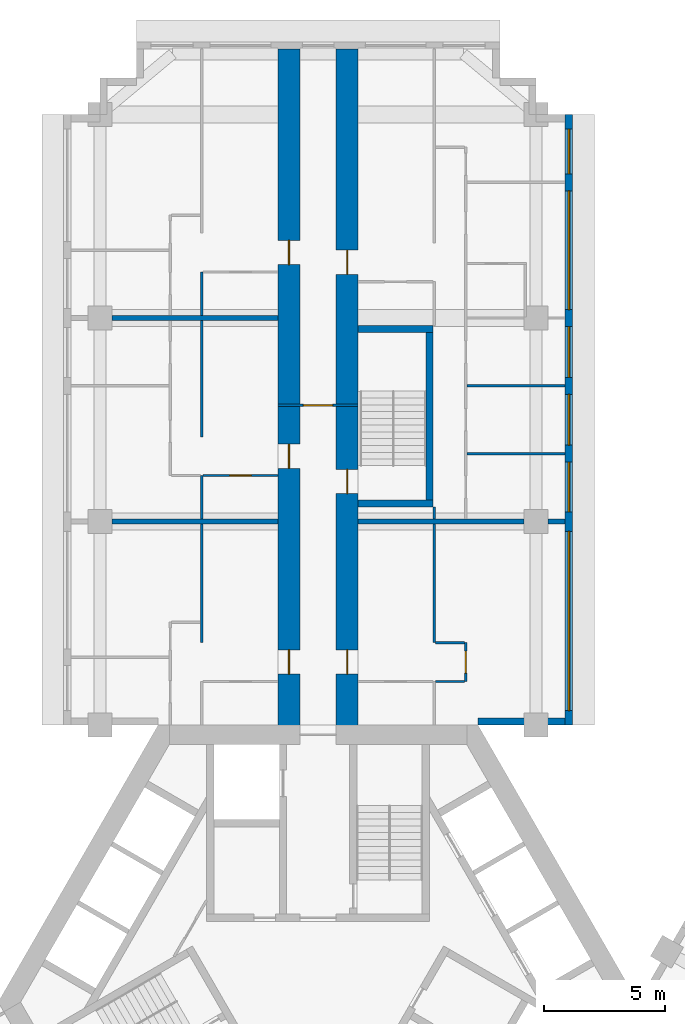
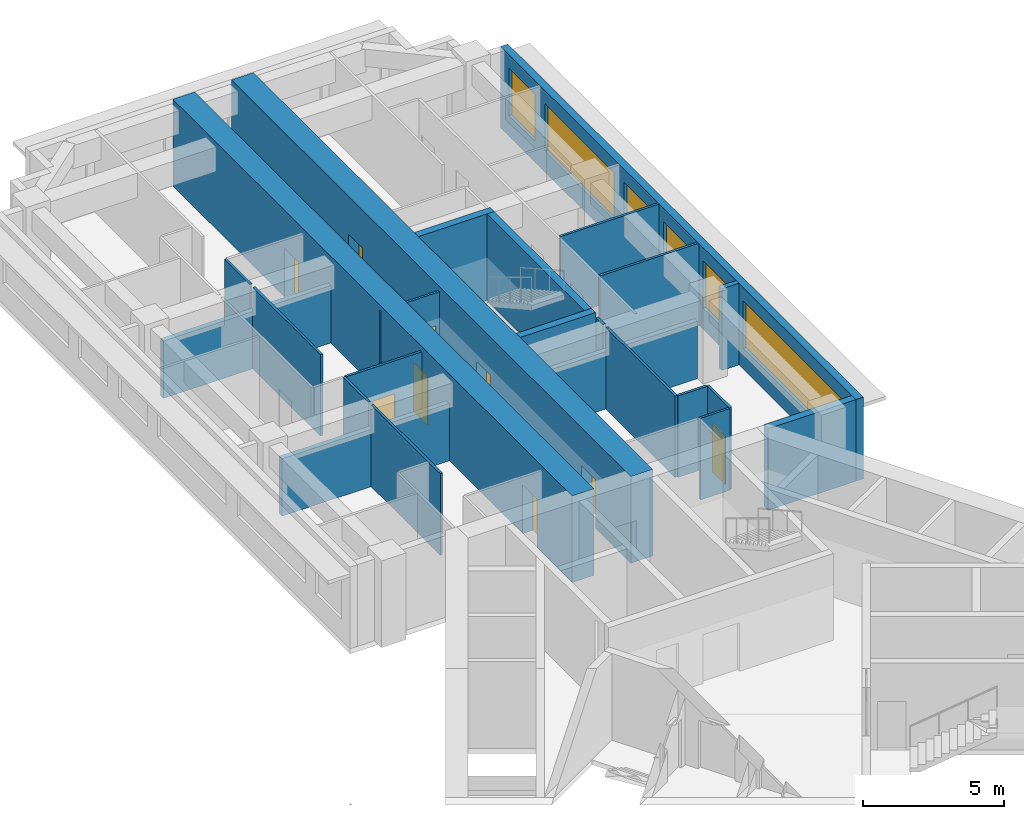
# One storey, part 9 of 12: 24 walls, 9 doors, 6 windows, 15 openings.
"""IFC4 building model written with IfcOpenShell, lengths in metres."""

import ifcopenshell
import ifcopenshell.guid

model = None  # the IFC model being written
_history = None  # IfcOwnerHistory: only IFC2X3 demands one
_inside = {}  # id of a spatial element -> (the spatial element, [elements in it])
_under = {}  # id of a project, library or spatial element -> (it, [spatial elements below it])
_declared = {}  # id of a project -> (the project, [libraries it declares])
_typed = {}  # id of a type object -> (the type object, [elements of that type])
_made_of = {}  # id of a material, layer set ... -> (it, [elements and type objects made of it])


def new_model(schema):
    """Start an empty IFC model of exactly this schema.

    Asked for "IFC4X3", IfcOpenShell would pick the latest addendum, in which some entities
    have other attributes; the version numbers below select the first issue.
    IFC2X3 requires an IfcOwnerHistory on every rooted entity: one is made here for all.
    """
    global model, _history
    if schema == "IFC4X3":
        model = ifcopenshell.file(schema_version=(4, 3, 0, 0))
    else:
        model = ifcopenshell.file(schema=schema)
    _inside.clear()
    _under.clear()
    _declared.clear()
    _typed.clear()
    _made_of.clear()
    _history = None
    if model.schema == "IFC2X3":
        org = make("IfcOrganization", Name="unknown")
        user = make(
            "IfcPersonAndOrganization",
            ThePerson=make("IfcPerson", FamilyName="unknown"),
            TheOrganization=org,
        )
        app = make(
            "IfcApplication",
            ApplicationDeveloper=org,
            Version="unknown",
            ApplicationFullName="unknown",
            ApplicationIdentifier="unknown",
        )
        _history = make(
            "IfcOwnerHistory",
            OwningUser=user,
            OwningApplication=app,
            ChangeAction="ADDED",
            CreationDate=0,
        )
    return model


def make(cls, **values):
    """One entity of the class cls with the attributes given. An attribute that is None is left unset."""
    return model.create_entity(
        cls, **{name: value for name, value in values.items() if value is not None}
    )


def rooted(cls, **values):
    """An entity with a GlobalId (a new one), such as an element, a storey or a relation."""
    return make(cls, GlobalId=ifcopenshell.guid.new(), OwnerHistory=_history, **values)


def si_unit(unit_type, name, prefix=None):
    """IfcSIUnit, for example si_unit("LENGTHUNIT", "METRE", prefix="MILLI")."""
    return make("IfcSIUnit", UnitType=unit_type, Prefix=prefix, Name=name)


def assignment(units):
    """IfcUnitAssignment: the units of a project."""
    return None if units is None else make("IfcUnitAssignment", Units=units)


def point(xyz):
    """IfcCartesianPoint."""
    return None if xyz is None else make("IfcCartesianPoint", Coordinates=xyz)


def direction(xyz):
    """IfcDirection."""
    return None if xyz is None else make("IfcDirection", DirectionRatios=xyz)


def frame(location, z_axis=None, x_axis=None):
    """IfcAxis2Placement3D, a coordinate frame: its origin and axes. An axis left out is left unset."""
    return make(
        "IfcAxis2Placement3D",
        Location=point(location),
        Axis=direction(z_axis),
        RefDirection=direction(x_axis),
    )


def frame_2d(location, x_axis=None):
    """IfcAxis2Placement2D, a coordinate frame in the plane: its origin and x axis."""
    return make(
        "IfcAxis2Placement2D", Location=point(location), RefDirection=direction(x_axis)
    )


def origin():
    """The frame at (0, 0, 0) with its axes left unset."""
    return frame((0.0, 0.0, 0.0))


def place(relative_to, where):
    """IfcLocalPlacement: puts the frame where relative to a parent placement (None: the world)."""
    return make(
        "IfcLocalPlacement", PlacementRelTo=relative_to, RelativePlacement=where
    )


def context(
    kind, dimensions, precision=None, world=None, true_north=None, identifier=None
):
    """IfcGeometricRepresentationContext, for example the 3D "Model" context."""
    return make(
        "IfcGeometricRepresentationContext",
        ContextIdentifier=identifier,
        ContextType=kind,
        CoordinateSpaceDimension=dimensions,
        Precision=precision,
        WorldCoordinateSystem=world,
        TrueNorth=true_north,
    )


def subcontext(parent, identifier, kind, view, scale=None):
    """IfcGeometricRepresentationSubContext, for example "Body" below "Model"."""
    return make(
        "IfcGeometricRepresentationSubContext",
        ContextIdentifier=identifier,
        ContextType=kind,
        ParentContext=parent,
        TargetScale=scale,
        TargetView=view,
    )


def project(units=None, contexts=None):
    """IfcProject with its units and contexts."""
    return rooted(
        "IfcProject",
        Name="project",
        RepresentationContexts=contexts,
        UnitsInContext=assignment(units),
    )


def spatial(cls, under=None, at=None, **own):
    """A site, building, storey or space (cls), placed at a placement, below another one or the project."""
    s = rooted(cls, ObjectPlacement=at, **own)
    if under is not None:
        _under.setdefault(under.id(), (under, []))[1].append(s)
    return s


def profile(cls, at=None, kind="AREA", **sizes):
    """A parametric profile (cls). Its sizes go by their IFC names, for example OverallWidth=200.0."""
    return make(cls, ProfileType=kind, Position=at, **sizes)


def rectangle(**sizes):
    """IfcRectangleProfileDef."""
    return profile("IfcRectangleProfileDef", **sizes)


def extrude(swept, where, along, depth):
    """IfcExtrudedAreaSolid: the profile swept, set in the frame where, extruded along a direction by depth."""
    return make(
        "IfcExtrudedAreaSolid",
        SweptArea=swept,
        Position=where,
        ExtrudedDirection=direction(along),
        Depth=depth,
    )


def shape(context_of_items, identifier, shape_type, items):
    """IfcShapeRepresentation: the items that make up one representation, for example the "Body"."""
    return make(
        "IfcShapeRepresentation",
        ContextOfItems=context_of_items,
        RepresentationIdentifier=identifier,
        RepresentationType=shape_type,
        Items=items,
    )


def material(Name=None, Category=None):
    """IfcMaterial."""
    return make("IfcMaterial", Name=Name, Category=Category)


def layer(
    of_material, thickness, ventilated=None, Name=None, Category=None, Priority=None
):
    """IfcMaterialLayer: one layer of a wall or slab, of a material (None: an air gap)."""
    return make(
        "IfcMaterialLayer",
        Material=of_material,
        LayerThickness=thickness,
        IsVentilated=ventilated,
        Name=Name,
        Category=Category,
        Priority=Priority,
    )


def layer_set(layers, Name=None):
    """IfcMaterialLayerSet."""
    return make("IfcMaterialLayerSet", MaterialLayers=layers, LayerSetName=Name)


def made_of(thing, what):
    """Note that an element or type object is made of a material, layer set ...; save() writes the relation."""
    if what is not None:
        _made_of.setdefault(what.id(), (what, []))[1].append(thing)
    return thing


def type_object(cls, material=None, **own):
    """A type object (cls), such as IfcWallType, which elements share."""
    return made_of(rooted(cls, **own), material)


def element(
    cls,
    number,
    at=None,
    inside=None,
    cuts=None,
    type_object=None,
    material=None,
    context=None,
    identifier="Body",
    shape_type=None,
    held_by="IfcProductDefinitionShape",
    body=None,
    shapes=None,
    **own,
):
    """One element of the class cls, such as IfcWall. Its Tag is "e" and its number.

    at: its placement. inside: the storey or other place that contains it. cuts: it is an
    opening in that element (IfcRelVoidsElement). A single representation is given by context,
    identifier, shape_type and body (its items); several are given by shapes. held_by: the class
    of the entity that holds the representations. save() writes the other relations.
    """
    e = rooted(cls, Tag="e%d" % number, ObjectPlacement=at, **own)
    if body is not None:
        shapes = [shape(context, identifier, shape_type, body)]
    if shapes is not None:
        e.Representation = make(held_by, Representations=shapes)
    if inside is not None:
        _inside.setdefault(inside.id(), (inside, []))[1].append(e)
    if cuts is not None:
        rooted(
            "IfcRelVoidsElement", RelatingBuildingElement=cuts, RelatedOpeningElement=e
        )
    if type_object is not None:
        _typed.setdefault(type_object.id(), (type_object, []))[1].append(e)
    return made_of(e, material)


def fill(opening, filler):
    """IfcRelFillsElement: the door or window that sits in an opening."""
    return rooted(
        "IfcRelFillsElement",
        RelatingOpeningElement=opening,
        RelatedBuildingElement=filler,
    )


def aggregate(whole, parts):
    """IfcRelAggregates: a whole, such as a stair, and the parts it consists of."""
    return rooted("IfcRelAggregates", RelatingObject=whole, RelatedObjects=parts)


def save(model, path):
    """Write the relations noted so far, then the file.

    IfcRelAggregates (storeys below a building ...), IfcRelContainedInSpatialStructure (elements
    in a storey), IfcRelDefinesByType, IfcRelAssociatesMaterial and IfcRelDeclares: one each for
    every whole, place, type object, material and project.
    """
    for whole, parts in _under.values():
        aggregate(whole, parts)
    for where, things in _inside.values():
        rooted(
            "IfcRelContainedInSpatialStructure",
            RelatedElements=things,
            RelatingStructure=where,
        )
    for kind, things in _typed.values():
        rooted("IfcRelDefinesByType", RelatedObjects=things, RelatingType=kind)
    for what, things in _made_of.values():
        rooted("IfcRelAssociatesMaterial", RelatedObjects=things, RelatingMaterial=what)
    for by, libraries in _declared.values():
        rooted("IfcRelDeclares", RelatingContext=by, RelatedDefinitions=libraries)
    model.write(path)


model = new_model("IFC4")

# Units and contexts
model_context = context("Model", 3, precision=1e-05, world=origin(), true_north=direction((0.0, 1.0)))
body_context = subcontext(model_context, "Body", "Model", "MODEL_VIEW")
ifc_project = project(units=[si_unit("LENGTHUNIT", "METRE"), si_unit("AREAUNIT", "SQUARE_METRE"), si_unit("VOLUMEUNIT", "CUBIC_METRE"), si_unit("PLANEANGLEUNIT", "RADIAN"), si_unit("MASSUNIT", "GRAM", prefix="KILO")], contexts=[model_context])

# Site, building, storey
site_placement = place(None, origin())
site = spatial("IfcSite", under=ifc_project, at=site_placement, CompositionType="ELEMENT")
building_placement = place(site_placement, origin())
building = spatial("IfcBuilding", under=site, at=building_placement, Name="Impinga Residences", CompositionType="ELEMENT")
storey_placement = place(building_placement, frame((0.0, 0.0, 166.0)))
storey = spatial("IfcBuildingStorey", under=building, at=storey_placement, Name="L41", CompositionType="ELEMENT", Elevation=166.0)

# Wall, openings, doors
ifc_material_1 = material(Name="Concrete C60/75", Category="concrete")
ifc_layer_1 = layer(ifc_material_1, 0.89990234375)
ifc_layer_set_1 = layer_set([ifc_layer_1], Name="Concrete C60/75")
wall_type_1 = type_object("IfcWallType", Name="BW2 corridor buttress wall, L24 to L44 900", PredefinedType="SHEAR", material=ifc_layer_set_1)
wall_1_placement = place(storey_placement, frame((-1.199951171875, 11.031494140625, 0.0), z_axis=(0.0, 0.0, 1.0), x_axis=(0.0, 1.0, 0.0)))
wall_1 = element("IfcWall", 1, at=wall_1_placement, inside=storey, type_object=wall_type_1, Name="Corridor wall BW2 NC L41", PredefinedType="SHEAR", context=body_context, shape_type="SweptSolid", body=[
    extrude(rectangle(XDim=28.300048828125, YDim=0.89990234375, at=frame_2d((14.14990234375, 0.0))), origin(), (0.0, 0.0, 1.0), 3.75),
])
opening_1_placement = place(wall_1_placement, frame((2.5, 0.0, 0.0)))
opening_1 = element("IfcOpeningElement", 2, at=opening_1_placement, cuts=wall_1, Name="Opening D1", PredefinedType="OPENING", context=body_context, shape_type="SweptSolid", body=[
    extrude(rectangle(XDim=1.0, YDim=2.10009765625, at=frame_2d((0.5, 1.050048828125))), frame((0.0, 0.4599609375, 0.0), z_axis=(0.0, -1.0, 0.0), x_axis=(1.0, 0.0, 0.0)), (0.0, 0.0, 1.0), 0.919921875),
])
opening_2_placement = place(wall_1_placement, frame((11.0, 0.0, 0.0)))
opening_2 = element("IfcOpeningElement", 3, at=opening_2_placement, cuts=wall_1, Name="Opening D1", PredefinedType="OPENING", context=body_context, shape_type="SweptSolid", body=[
    extrude(rectangle(XDim=1.0, YDim=2.10009765625, at=frame_2d((0.5, 1.050048828125))), frame((0.0, 0.4599609375, 0.0), z_axis=(0.0, -1.0, 0.0), x_axis=(1.0, 0.0, 0.0)), (0.0, 0.0, 1.0), 0.919921875),
])
opening_3_placement = place(wall_1_placement, frame((19.39990234375, 0.0, 0.0)))
opening_3 = element("IfcOpeningElement", 4, at=opening_3_placement, cuts=wall_1, Name="Opening D1", PredefinedType="OPENING", context=body_context, shape_type="SweptSolid", body=[
    extrude(rectangle(XDim=1.0, YDim=2.10009765625, at=frame_2d((0.5, 1.050048828125))), frame((0.0, 0.4599609375, 0.0), z_axis=(0.0, -1.0, 0.0), x_axis=(1.0, 0.0, 0.0)), (0.0, 0.0, 1.0), 0.919921875),
])
ifc_material_2 = material(Name="Timber door set", Category="wood")
door_type_1 = type_object("IfcDoorType", Name="D1 apartment entrance door 1000x2100", OperationType="SINGLE_SWING_LEFT", PredefinedType="DOOR", material=ifc_material_2)
door_1_placement = place(opening_1_placement, origin())
door_1 = element("IfcDoor", 5, at=door_1_placement, inside=storey, type_object=door_type_1, Name="Apartment L41-NA1 entrance", OperationType="SINGLE_SWING_LEFT", OverallHeight=2.10009765625, OverallWidth=1.0, PredefinedType="DOOR", context=body_context, shape_type="SweptSolid", body=[
    extrude(rectangle(XDim=1.0, YDim=2.10009765625, at=frame_2d((0.5, 1.050048828125))), frame((0.0, 0.02490234375, 0.0), z_axis=(0.0, -1.0, 0.0), x_axis=(1.0, 0.0, 0.0)), (0.0, 0.0, 1.0), 0.050048828125),
])
fill(opening_1, door_1)
door_2_placement = place(opening_2_placement, origin())
door_2 = element("IfcDoor", 6, at=door_2_placement, inside=storey, type_object=door_type_1, Name="Apartment L41-NA2 entrance", OperationType="SINGLE_SWING_LEFT", OverallHeight=2.10009765625, OverallWidth=1.0, PredefinedType="DOOR", context=body_context, shape_type="SweptSolid", body=[
    extrude(rectangle(XDim=1.0, YDim=2.10009765625, at=frame_2d((0.5, 1.050048828125))), frame((0.0, 0.02490234375, 0.0), z_axis=(0.0, -1.0, 0.0), x_axis=(1.0, 0.0, 0.0)), (0.0, 0.0, 1.0), 0.050048828125),
])
fill(opening_2, door_2)
door_3_placement = place(opening_3_placement, origin())
door_3 = element("IfcDoor", 7, at=door_3_placement, inside=storey, type_object=door_type_1, Name="Apartment L41-NA3 entrance", OperationType="SINGLE_SWING_RIGHT", OverallHeight=2.10009765625, OverallWidth=1.0, PredefinedType="DOOR", context=body_context, shape_type="SweptSolid", body=[
    extrude(rectangle(XDim=1.0, YDim=2.10009765625, at=frame_2d((0.5, 1.050048828125))), frame((0.0, 0.02490234375, 0.0), z_axis=(0.0, -1.0, 0.0), x_axis=(1.0, 0.0, 0.0)), (0.0, 0.0, 1.0), 0.050048828125),
])
fill(opening_3, door_3)

wall_2_placement = place(storey_placement, frame((1.199951171875, 11.031494140625, 0.0), z_axis=(0.0, 0.0, 1.0), x_axis=(0.0, 1.0, 0.0)))
wall_2 = element("IfcWall", 8, at=wall_2_placement, inside=storey, type_object=wall_type_1, Name="Corridor wall BW2 ND L41", PredefinedType="SHEAR", context=body_context, shape_type="SweptSolid", body=[
    extrude(rectangle(XDim=28.300048828125, YDim=0.89990234375, at=frame_2d((14.14990234375, 0.0))), origin(), (0.0, 0.0, 1.0), 3.75),
])
opening_4_placement = place(wall_2_placement, frame((9.949951171875, 0.0, 0.0)))
opening_4 = element("IfcOpeningElement", 9, at=opening_4_placement, cuts=wall_2, Name="Opening D5", PredefinedType="OPENING", context=body_context, shape_type="SweptSolid", body=[
    extrude(rectangle(XDim=1.0, YDim=2.10009765625, at=frame_2d((0.5, 1.050048828125))), frame((0.0, 0.4599609375, 0.0), z_axis=(0.0, -1.0, 0.0), x_axis=(1.0, 0.0, 0.0)), (0.0, 0.0, 1.0), 0.919921875),
])
opening_5_placement = place(wall_2_placement, frame((2.5, 0.0, 0.0)))
opening_5 = element("IfcOpeningElement", 10, at=opening_5_placement, cuts=wall_2, Name="Opening D1", PredefinedType="OPENING", context=body_context, shape_type="SweptSolid", body=[
    extrude(rectangle(XDim=1.0, YDim=2.10009765625, at=frame_2d((0.5, 1.050048828125))), frame((0.0, 0.4599609375, 0.0), z_axis=(0.0, -1.0, 0.0), x_axis=(1.0, 0.0, 0.0)), (0.0, 0.0, 1.0), 0.919921875),
])
opening_6_placement = place(wall_2_placement, frame((19.0, 0.0, 0.0)))
opening_6 = element("IfcOpeningElement", 11, at=opening_6_placement, cuts=wall_2, Name="Opening D1", PredefinedType="OPENING", context=body_context, shape_type="SweptSolid", body=[
    extrude(rectangle(XDim=1.0, YDim=2.10009765625, at=frame_2d((0.5, 1.050048828125))), frame((0.0, 0.4599609375, 0.0), z_axis=(0.0, -1.0, 0.0), x_axis=(1.0, 0.0, 0.0)), (0.0, 0.0, 1.0), 0.919921875),
])
door_4_placement = place(opening_5_placement, origin())
door_4 = element("IfcDoor", 12, at=door_4_placement, inside=storey, type_object=door_type_1, Name="Apartment L41-NF1 entrance", OperationType="SINGLE_SWING_LEFT", OverallHeight=2.10009765625, OverallWidth=1.0, PredefinedType="DOOR", context=body_context, shape_type="SweptSolid", body=[
    extrude(rectangle(XDim=1.0, YDim=2.10009765625, at=frame_2d((0.5, 1.050048828125))), frame((0.0, 0.02490234375, 0.0), z_axis=(0.0, -1.0, 0.0), x_axis=(1.0, 0.0, 0.0)), (0.0, 0.0, 1.0), 0.050048828125),
])
fill(opening_5, door_4)
door_5_placement = place(opening_6_placement, origin())
door_5 = element("IfcDoor", 13, at=door_5_placement, inside=storey, type_object=door_type_1, Name="Apartment L41-NF2 entrance", OperationType="SINGLE_SWING_RIGHT", OverallHeight=2.10009765625, OverallWidth=1.0, PredefinedType="DOOR", context=body_context, shape_type="SweptSolid", body=[
    extrude(rectangle(XDim=1.0, YDim=2.10009765625, at=frame_2d((0.5, 1.050048828125))), frame((0.0, 0.02490234375, 0.0), z_axis=(0.0, -1.0, 0.0), x_axis=(1.0, 0.0, 0.0)), (0.0, 0.0, 1.0), 0.050048828125),
])
fill(opening_6, door_5)
door_type_2 = type_object("IfcDoorType", Name="D5 stair door 1000x2100", OperationType="SINGLE_SWING_LEFT", PredefinedType="DOOR", material=ifc_material_2)
door_6_placement = place(opening_4_placement, origin())
door_6 = element("IfcDoor", 14, at=door_6_placement, inside=storey, type_object=door_type_2, Name="Wing stair door N", OperationType="SINGLE_SWING_LEFT", OverallHeight=2.10009765625, OverallWidth=1.0, PredefinedType="DOOR", context=body_context, shape_type="SweptSolid", body=[
    extrude(rectangle(XDim=1.0, YDim=2.10009765625, at=frame_2d((0.5, 1.050048828125))), frame((0.0, 0.02490234375, 0.0), z_axis=(0.0, -1.0, 0.0), x_axis=(1.0, 0.0, 0.0)), (0.0, 0.0, 1.0), 0.050048828125),
])
fill(opening_4, door_6)

# Wall, opening, door
ifc_material_3 = material(Name="Concrete blockwork", Category="masonry")
ifc_layer_2 = layer(ifc_material_3, 0.10009765625)
ifc_layer_set_2 = layer_set([ifc_layer_2], Name="CP1 core room partition, blockwork 100")
wall_type_2 = type_object("IfcWallType", Name="CP1 core room partition, blockwork 100", PredefinedType="PARTITIONING", material=ifc_layer_set_2)
wall_3_placement = place(storey_placement, frame((-1.64990234375, 24.631591796875, 0.0), z_axis=(0.0, 0.0, 1.0), x_axis=(1.0, 0.0, 0.0)))
wall_3 = element("IfcWall", 15, at=wall_3_placement, inside=storey, type_object=wall_type_2, Name="Core room partition, blockwork L41:N:PLB", PredefinedType="PARTITIONING", context=body_context, shape_type="SweptSolid", body=[
    extrude(rectangle(XDim=3.2998046875, YDim=0.10009765625, at=frame_2d((1.64990234375, 0.0))), origin(), (0.0, 0.0, 1.0), 3.530029296875),
])
opening_7_placement = place(wall_3_placement, frame((1.050048828125, 0.0, 0.0)))
opening_7 = element("IfcOpeningElement", 16, at=opening_7_placement, cuts=wall_3, Name="Opening D3", PredefinedType="OPENING", context=body_context, shape_type="SweptSolid", body=[
    extrude(rectangle(XDim=1.199951171875, YDim=2.10009765625, at=frame_2d((0.60009765625, 1.050048828125))), frame((0.0, 0.06005859375, 0.0), z_axis=(0.0, -1.0, 0.0), x_axis=(1.0, 0.0, 0.0)), (0.0, 0.0, 1.0), 0.1201171875),
])
door_type_3 = type_object("IfcDoorType", Name="D3 room door, leaf and a half 1200x2100", OperationType="DOUBLE_SWING_LEFT", PredefinedType="DOOR", material=ifc_material_2)
door_7_placement = place(opening_7_placement, origin())
door_7 = element("IfcDoor", 17, at=door_7_placement, inside=storey, type_object=door_type_3, Name="Private lobby door N", OperationType="DOUBLE_SWING_LEFT", OverallHeight=2.10009765625, OverallWidth=1.199951171875, PredefinedType="DOOR", context=body_context, shape_type="SweptSolid", body=[
    extrude(rectangle(XDim=1.199951171875, YDim=2.10009765625, at=frame_2d((0.60009765625, 1.050048828125))), frame((0.0, 0.02490234375, 0.0), z_axis=(0.0, -1.0, 0.0), x_axis=(1.0, 0.0, 0.0)), (0.0, 0.0, 1.0), 0.050048828125),
])
fill(opening_7, door_7)

# Wall, openings, windows
ifc_material_4 = material(Name="Terracotta rainscreen on blockwork", Category="masonry")
ifc_layer_3 = layer(ifc_material_4, 0.300048828125)
ifc_layer_set_3 = layer_set([ifc_layer_3], Name="EW1 external wall, terracotta rainscreen on blockwork 300")
wall_type_3 = type_object("IfcWallType", Name="EW1 external wall, terracotta rainscreen on blockwork 300", PredefinedType="SOLIDWALL", material=ifc_layer_set_3)
wall_4_placement = place(storey_placement, frame((10.35009765625, 36.631591796875, 0.0), z_axis=(0.0, 0.0, 1.0), x_axis=(0.0, -1.0, 0.0)))
wall_4 = element("IfcWall", 18, at=wall_4_placement, inside=storey, type_object=wall_type_3, Name="External wall EW1 L41", PredefinedType="SOLIDWALL", context=body_context, shape_type="SweptSolid", body=[
    extrude(rectangle(XDim=25.199951171875, YDim=0.300048828125, at=frame_2d((12.60009765625, 0.0))), origin(), (0.0, 0.0, 1.0), 3.530029296875),
])
opening_8_placement = place(wall_4_placement, frame((0.60009765625, 0.0, 0.89990234375)))
opening_8 = element("IfcOpeningElement", 19, at=opening_8_placement, cuts=wall_4, Name="Opening W15", PredefinedType="OPENING", context=body_context, shape_type="SweptSolid", body=[
    extrude(rectangle(XDim=1.85009765625, YDim=2.050048828125, at=frame_2d((0.925048828125, 1.02490234375))), frame((0.0, 0.159912109375, 0.0), z_axis=(0.0, -1.0, 0.0), x_axis=(1.0, 0.0, 0.0)), (0.0, 0.0, 1.0), 0.320068359375),
])
opening_9_placement = place(wall_4_placement, frame((3.14990234375, 0.0, 0.89990234375)))
opening_9 = element("IfcOpeningElement", 20, at=opening_9_placement, cuts=wall_4, Name="Opening W16", PredefinedType="OPENING", context=body_context, shape_type="SweptSolid", body=[
    extrude(rectangle(XDim=4.89990234375, YDim=2.050048828125, at=frame_2d((2.449951171875, 1.02490234375))), frame((0.0, 0.159912109375, 0.0), z_axis=(0.0, -1.0, 0.0), x_axis=(1.0, 0.0, 0.0)), (0.0, 0.0, 1.0), 0.320068359375),
])
opening_10_placement = place(wall_4_placement, frame((8.75, 0.0, 0.89990234375)))
opening_10 = element("IfcOpeningElement", 21, at=opening_10_placement, cuts=wall_4, Name="Opening W9", PredefinedType="OPENING", context=body_context, shape_type="SweptSolid", body=[
    extrude(rectangle(XDim=2.10009765625, YDim=2.050048828125, at=frame_2d((1.050048828125, 1.02490234375))), frame((0.0, 0.159912109375, 0.0), z_axis=(0.0, -1.0, 0.0), x_axis=(1.0, 0.0, 0.0)), (0.0, 0.0, 1.0), 0.320068359375),
])
opening_11_placement = place(wall_4_placement, frame((11.550048828125, 0.0, 0.89990234375)))
opening_11 = element("IfcOpeningElement", 22, at=opening_11_placement, cuts=wall_4, Name="Opening W9", PredefinedType="OPENING", context=body_context, shape_type="SweptSolid", body=[
    extrude(rectangle(XDim=2.10009765625, YDim=2.050048828125, at=frame_2d((1.050048828125, 1.02490234375))), frame((0.0, 0.159912109375, 0.0), z_axis=(0.0, -1.0, 0.0), x_axis=(1.0, 0.0, 0.0)), (0.0, 0.0, 1.0), 0.320068359375),
])
opening_12_placement = place(wall_4_placement, frame((14.35009765625, 0.0, 0.89990234375)))
opening_12 = element("IfcOpeningElement", 23, at=opening_12_placement, cuts=wall_4, Name="Opening W14", PredefinedType="OPENING", context=body_context, shape_type="SweptSolid", body=[
    extrude(rectangle(XDim=2.050048828125, YDim=2.050048828125, at=frame_2d((1.02490234375, 1.02490234375))), frame((0.0, 0.159912109375, 0.0), z_axis=(0.0, -1.0, 0.0), x_axis=(1.0, 0.0, 0.0)), (0.0, 0.0, 1.0), 0.320068359375),
])
opening_13_placement = place(wall_4_placement, frame((17.199951171875, 0.0, 0.89990234375)))
opening_13 = element("IfcOpeningElement", 24, at=opening_13_placement, cuts=wall_4, Name="Opening W12", PredefinedType="OPENING", context=body_context, shape_type="SweptSolid", body=[
    extrude(rectangle(XDim=7.39990234375, YDim=2.050048828125, at=frame_2d((3.699951171875, 1.02490234375))), frame((0.0, 0.159912109375, 0.0), z_axis=(0.0, -1.0, 0.0), x_axis=(1.0, 0.0, 0.0)), (0.0, 0.0, 1.0), 0.320068359375),
])
ifc_material_5 = material(Name="Aluminium window, clear double glazing", Category="aluminium")
window_type_1 = type_object("IfcWindowType", Name="W12 ribbon window 7400x2050", PartitioningType="SINGLE_PANEL", PredefinedType="WINDOW", material=ifc_material_5)
window_1_placement = place(opening_13_placement, origin())
window_1 = element("IfcWindow", 25, at=window_1_placement, inside=storey, type_object=window_type_1, Name="Window L41", OverallHeight=2.050048828125, OverallWidth=7.39990234375, PartitioningType="SINGLE_PANEL", PredefinedType="WINDOW", context=body_context, shape_type="SweptSolid", body=[
    extrude(rectangle(XDim=7.39990234375, YDim=2.050048828125, at=frame_2d((3.699951171875, 1.02490234375))), frame((0.0, 0.030029296875, 0.0), z_axis=(0.0, -1.0, 0.0), x_axis=(1.0, 0.0, 0.0)), (0.0, 0.0, 1.0), 0.06005859375),
])
fill(opening_13, window_1)
window_type_2 = type_object("IfcWindowType", Name="W14 ribbon window 2050x2050", PartitioningType="SINGLE_PANEL", PredefinedType="WINDOW", material=ifc_material_5)
window_2_placement = place(opening_12_placement, origin())
window_2 = element("IfcWindow", 26, at=window_2_placement, inside=storey, type_object=window_type_2, Name="Window L41", OverallHeight=2.050048828125, OverallWidth=2.050048828125, PartitioningType="SINGLE_PANEL", PredefinedType="WINDOW", context=body_context, shape_type="SweptSolid", body=[
    extrude(rectangle(XDim=2.050048828125, YDim=2.050048828125, at=frame_2d((1.02490234375, 1.02490234375))), frame((0.0, 0.030029296875, 0.0), z_axis=(0.0, -1.0, 0.0), x_axis=(1.0, 0.0, 0.0)), (0.0, 0.0, 1.0), 0.06005859375),
])
fill(opening_12, window_2)
window_type_3 = type_object("IfcWindowType", Name="W15 ribbon window 1850x2050", PartitioningType="SINGLE_PANEL", PredefinedType="WINDOW", material=ifc_material_5)
window_3_placement = place(opening_8_placement, origin())
window_3 = element("IfcWindow", 27, at=window_3_placement, inside=storey, type_object=window_type_3, Name="Window L41", OverallHeight=2.050048828125, OverallWidth=1.85009765625, PartitioningType="SINGLE_PANEL", PredefinedType="WINDOW", context=body_context, shape_type="SweptSolid", body=[
    extrude(rectangle(XDim=1.85009765625, YDim=2.050048828125, at=frame_2d((0.925048828125, 1.02490234375))), frame((0.0, 0.030029296875, 0.0), z_axis=(0.0, -1.0, 0.0), x_axis=(1.0, 0.0, 0.0)), (0.0, 0.0, 1.0), 0.06005859375),
])
fill(opening_8, window_3)
window_type_4 = type_object("IfcWindowType", Name="W16 ribbon window 4900x2050", PartitioningType="SINGLE_PANEL", PredefinedType="WINDOW", material=ifc_material_5)
window_4_placement = place(opening_9_placement, origin())
window_4 = element("IfcWindow", 28, at=window_4_placement, inside=storey, type_object=window_type_4, Name="Window L41", OverallHeight=2.050048828125, OverallWidth=4.89990234375, PartitioningType="SINGLE_PANEL", PredefinedType="WINDOW", context=body_context, shape_type="SweptSolid", body=[
    extrude(rectangle(XDim=4.89990234375, YDim=2.050048828125, at=frame_2d((2.449951171875, 1.02490234375))), frame((0.0, 0.030029296875, 0.0), z_axis=(0.0, -1.0, 0.0), x_axis=(1.0, 0.0, 0.0)), (0.0, 0.0, 1.0), 0.06005859375),
])
fill(opening_9, window_4)
window_type_5 = type_object("IfcWindowType", Name="W9 ribbon window 2100x2050", PartitioningType="SINGLE_PANEL", PredefinedType="WINDOW", material=ifc_material_5)
window_5_placement = place(opening_10_placement, origin())
window_5 = element("IfcWindow", 29, at=window_5_placement, inside=storey, type_object=window_type_5, Name="Window L41", OverallHeight=2.050048828125, OverallWidth=2.10009765625, PartitioningType="SINGLE_PANEL", PredefinedType="WINDOW", context=body_context, shape_type="SweptSolid", body=[
    extrude(rectangle(XDim=2.10009765625, YDim=2.050048828125, at=frame_2d((1.050048828125, 1.02490234375))), frame((0.0, 0.030029296875, 0.0), z_axis=(0.0, -1.0, 0.0), x_axis=(1.0, 0.0, 0.0)), (0.0, 0.0, 1.0), 0.06005859375),
])
fill(opening_10, window_5)
window_6_placement = place(opening_11_placement, origin())
window_6 = element("IfcWindow", 30, at=window_6_placement, inside=storey, type_object=window_type_5, Name="Window L41", OverallHeight=2.050048828125, OverallWidth=2.10009765625, PartitioningType="SINGLE_PANEL", PredefinedType="WINDOW", context=body_context, shape_type="SweptSolid", body=[
    extrude(rectangle(XDim=2.10009765625, YDim=2.050048828125, at=frame_2d((1.050048828125, 1.02490234375))), frame((0.0, 0.030029296875, 0.0), z_axis=(0.0, -1.0, 0.0), x_axis=(1.0, 0.0, 0.0)), (0.0, 0.0, 1.0), 0.06005859375),
])
fill(opening_11, window_6)

# Walls
wall_5_placement = place(storey_placement, frame((10.199951171875, 11.58154296875, 0.0), z_axis=(0.0, 0.0, 1.0), x_axis=(-1.0, 0.0, 0.0)))
element("IfcWall", 31, at=wall_5_placement, inside=storey, type_object=wall_type_3, Name="External wall EW1 L41", PredefinedType="SOLIDWALL", context=body_context, shape_type="SweptSolid", body=[
    extrude(rectangle(XDim=3.599853515625, YDim=0.300048828125, at=frame_2d((1.7998046875, 0.0))), origin(), (0.0, 0.0, 1.0), 3.530029296875),
])
ifc_material_6 = material(Name="Gypsum board on steel studs", Category="steel")
ifc_layer_4 = layer(ifc_material_6, 0.10009765625)
ifc_layer_set_4 = layer_set([ifc_layer_4], Name="Gypsum board on steel studs")
wall_type_4 = type_object("IfcWallType", Name="IP1 partition 100", PredefinedType="PARTITIONING", material=ifc_layer_set_4)
wall_6_placement = place(storey_placement, frame((-4.800048828125, 14.83154296875, 0.0), z_axis=(0.0, 0.0, 1.0), x_axis=(0.0, 1.0, 0.0)))
element("IfcWall", 32, at=wall_6_placement, inside=storey, type_object=wall_type_4, Name="Partition L41-NA1:DIV1", PredefinedType="PARTITIONING", context=body_context, shape_type="SweptSolid", body=[
    extrude(rectangle(XDim=4.89990234375, YDim=0.10009765625, at=frame_2d((2.449951171875, 0.0))), origin(), (0.0, 0.0, 1.0), 3.530029296875),
])
wall_7_placement = place(storey_placement, frame((-4.800048828125, 19.931640625, 0.0), z_axis=(0.0, 0.0, 1.0), x_axis=(0.0, 1.0, 0.0)))
element("IfcWall", 33, at=wall_7_placement, inside=storey, type_object=wall_type_4, Name="Partition L41-NA2:DIV0", PredefinedType="PARTITIONING", context=body_context, shape_type="SweptSolid", body=[
    extrude(rectangle(XDim=1.7998046875, YDim=0.10009765625, at=frame_2d((0.89990234375, 0.0))), origin(), (0.0, 0.0, 1.0), 3.530029296875),
])
wall_8_placement = place(storey_placement, frame((-4.800048828125, 23.33154296875, 0.0), z_axis=(0.0, 0.0, 1.0), x_axis=(0.0, 1.0, 0.0)))
element("IfcWall", 34, at=wall_8_placement, inside=storey, type_object=wall_type_4, Name="Partition L41-NA2:DIV1", PredefinedType="PARTITIONING", context=body_context, shape_type="SweptSolid", body=[
    extrude(rectangle(XDim=4.800048828125, YDim=0.10009765625, at=frame_2d((2.39990234375, 0.0))), origin(), (0.0, 0.0, 1.0), 3.530029296875),
])

# Wall, opening, door
wall_9_placement = place(storey_placement, frame((-1.64990234375, 21.7314453125, 0.0), z_axis=(0.0, 0.0, 1.0), x_axis=(-1.0, 0.0, 0.0)))
wall_9 = element("IfcWall", 35, at=wall_9_placement, inside=storey, type_object=wall_type_4, Name="Partition L41-NA2:IB1", PredefinedType="PARTITIONING", context=body_context, shape_type="SweptSolid", body=[
    extrude(rectangle(XDim=3.10009765625, YDim=0.10009765625, at=frame_2d((1.550048828125, 0.0))), origin(), (0.0, 0.0, 1.0), 3.530029296875),
])
opening_14_placement = place(wall_9_placement, frame((1.10009765625, 0.0, 0.0)))
opening_14 = element("IfcOpeningElement", 36, at=opening_14_placement, cuts=wall_9, Name="Opening D2", PredefinedType="OPENING", context=body_context, shape_type="SweptSolid", body=[
    extrude(rectangle(XDim=0.89990234375, YDim=2.10009765625, at=frame_2d((0.449951171875, 1.050048828125))), frame((0.0, 0.06005859375, 0.0), z_axis=(0.0, -1.0, 0.0), x_axis=(1.0, 0.0, 0.0)), (0.0, 0.0, 1.0), 0.1201171875),
])
door_type_4 = type_object("IfcDoorType", Name="D2 internal door 900x2100", OperationType="SINGLE_SWING_LEFT", PredefinedType="DOOR", material=ifc_material_2)
door_8_placement = place(opening_14_placement, origin())
door_8 = element("IfcDoor", 37, at=door_8_placement, inside=storey, type_object=door_type_4, Name="Apartment L41-NA2 bathroom door", OperationType="SINGLE_SWING_LEFT", OverallHeight=2.10009765625, OverallWidth=0.89990234375, PredefinedType="DOOR", context=body_context, shape_type="SweptSolid", body=[
    extrude(rectangle(XDim=0.89990234375, YDim=2.10009765625, at=frame_2d((0.449951171875, 1.050048828125))), frame((0.0, 0.02490234375, 0.0), z_axis=(0.0, -1.0, 0.0), x_axis=(1.0, 0.0, 0.0)), (0.0, 0.0, 1.0), 0.050048828125),
])
fill(opening_14, door_8)

# Walls
wall_10_placement = place(storey_placement, frame((-4.800048828125, 28.33154296875, 0.0), z_axis=(0.0, 0.0, 1.0), x_axis=(0.0, 1.0, 0.0)))
element("IfcWall", 38, at=wall_10_placement, inside=storey, type_object=wall_type_4, Name="Partition L41-NA3:DIV0", PredefinedType="PARTITIONING", context=body_context, shape_type="SweptSolid", body=[
    extrude(rectangle(XDim=1.800048828125, YDim=0.10009765625, at=frame_2d((0.89990234375, 0.0))), origin(), (0.0, 0.0, 1.0), 3.530029296875),
])
wall_11_placement = place(storey_placement, frame((4.800048828125, 14.83154296875, 0.0), z_axis=(0.0, 0.0, 1.0), x_axis=(0.0, 1.0, 0.0)))
element("IfcWall", 39, at=wall_11_placement, inside=storey, type_object=wall_type_4, Name="Partition L41-NF1:DIV1", PredefinedType="PARTITIONING", context=body_context, shape_type="SweptSolid", body=[
    extrude(rectangle(XDim=4.89990234375, YDim=0.10009765625, at=frame_2d((2.449951171875, 0.0))), origin(), (0.0, 0.0, 1.0), 3.530029296875),
])

# Wall, opening, door
wall_12_placement = place(storey_placement, frame((6.10009765625, 13.2314453125, 0.0), z_axis=(0.0, 0.0, 1.0), x_axis=(0.0, 1.0, 0.0)))
wall_12 = element("IfcWall", 40, at=wall_12_placement, inside=storey, type_object=wall_type_4, Name="Partition L41-NF1:STRIP", PredefinedType="PARTITIONING", context=body_context, shape_type="SweptSolid", body=[
    extrude(rectangle(XDim=1.60009765625, YDim=0.10009765625, at=frame_2d((0.800048828125, 0.0))), origin(), (0.0, 0.0, 1.0), 3.530029296875),
])
opening_15_placement = place(wall_12_placement, frame((0.35009765625, 0.0, 0.0)))
opening_15 = element("IfcOpeningElement", 41, at=opening_15_placement, cuts=wall_12, Name="Opening D2", PredefinedType="OPENING", context=body_context, shape_type="SweptSolid", body=[
    extrude(rectangle(XDim=0.89990234375, YDim=2.10009765625, at=frame_2d((0.449951171875, 1.050048828125))), frame((0.0, 0.06005859375, 0.0), z_axis=(0.0, -1.0, 0.0), x_axis=(1.0, 0.0, 0.0)), (0.0, 0.0, 1.0), 0.1201171875),
])
door_9_placement = place(opening_15_placement, origin())
door_9 = element("IfcDoor", 42, at=door_9_placement, inside=storey, type_object=door_type_4, Name="Apartment L41-NF1 room door", OperationType="SINGLE_SWING_LEFT", OverallHeight=2.10009765625, OverallWidth=0.89990234375, PredefinedType="DOOR", context=body_context, shape_type="SweptSolid", body=[
    extrude(rectangle(XDim=0.89990234375, YDim=2.10009765625, at=frame_2d((0.449951171875, 1.050048828125))), frame((0.0, 0.02490234375, 0.0), z_axis=(0.0, -1.0, 0.0), x_axis=(1.0, 0.0, 0.0)), (0.0, 0.0, 1.0), 0.050048828125),
])
fill(opening_15, door_9)

# Walls
for number, where, z_axis, x_axis, name in (
    (43, (4.85009765625, 13.2314453125, 0.0), (0.0, 0.0, 1.0), (1.0, 0.0, 0.0), "Partition L41-NF1:SE0"),
    (44, (4.85009765625, 14.83154296875, 0.0), (0.0, 0.0, 1.0), (1.0, 0.0, 0.0), "Partition L41-NF1:SE1"),
):
    element("IfcWall", number, at=place(storey_placement, frame(where, z_axis=z_axis, x_axis=x_axis)), inside=storey, type_object=wall_type_4, Name=name, PredefinedType="PARTITIONING", context=body_context, shape_type="SweptSolid", body=[
        extrude(rectangle(XDim=1.199951171875, YDim=0.10009765625, at=frame_2d((0.60009765625, 0.0))), origin(), (0.0, 0.0, 1.0), 3.530029296875),
    ])
wall_13_placement = place(storey_placement, frame((4.800048828125, 19.931640625, 0.0), z_axis=(0.0, 0.0, 1.0), x_axis=(0.0, 1.0, 0.0)))
element("IfcWall", 45, at=wall_13_placement, inside=storey, type_object=wall_type_4, Name="Partition L41-NF2:DIV0", PredefinedType="PARTITIONING", context=body_context, shape_type="SweptSolid", body=[
    extrude(rectangle(XDim=0.5, YDim=0.10009765625, at=frame_2d((0.25, 0.0))), origin(), (0.0, 0.0, 1.0), 3.530029296875),
])
for number, where, z_axis, x_axis, name in (
    (46, (6.14990234375, 22.631591796875, 0.0), (0.0, 0.0, 1.0), (1.0, 0.0, 0.0), "Partition L41-NF2:OB1"),
    (47, (6.14990234375, 25.431640625, 0.0), (0.0, 0.0, 1.0), (1.0, 0.0, 0.0), "Partition L41-NF2:OB2"),
):
    element("IfcWall", number, at=place(storey_placement, frame(where, z_axis=z_axis, x_axis=x_axis)), inside=storey, type_object=wall_type_4, Name=name, PredefinedType="PARTITIONING", context=body_context, shape_type="SweptSolid", body=[
        extrude(rectangle(XDim=4.050048828125, YDim=0.10009765625, at=frame_2d((2.02490234375, 0.0))), origin(), (0.0, 0.0, 1.0), 3.530029296875),
    ])
ifc_layer_5 = layer(ifc_material_3, 0.199951171875)
ifc_layer_set_5 = layer_set([ifc_layer_5], Name="PW1 party wall between apartments 200")
wall_type_5 = type_object("IfcWallType", Name="PW1 party wall between apartments 200", PredefinedType="SOLIDWALL", material=ifc_layer_set_5)
for number, where, z_axis, x_axis, name in (
    (48, (-1.64990234375, 19.83154296875, 0.0), (0.0, 0.0, 1.0), (-1.0, 0.0, 0.0), "Party wall between apartments L41-NA1:PARTY"),
    (49, (-1.64990234375, 28.2314453125, 0.0), (0.0, 0.0, 1.0), (-1.0, 0.0, 0.0), "Party wall between apartments L41-NA2:PARTY"),
    (50, (1.64990234375, 19.83154296875, 0.0), (0.0, 0.0, 1.0), (1.0, 0.0, 0.0), "Party wall between apartments L41-NF1:PARTY"),
):
    element("IfcWall", number, at=place(storey_placement, frame(where, z_axis=z_axis, x_axis=x_axis)), inside=storey, type_object=wall_type_5, Name=name, PredefinedType="SOLIDWALL", context=body_context, shape_type="SweptSolid", body=[
        extrude(rectangle(XDim=6.85009765625, YDim=0.199951171875, at=frame_2d((3.425048828125, 0.0))), origin(), (0.0, 0.0, 1.0), 2.47998046875),
    ])
wall_14_placement = place(storey_placement, frame((9.5, 19.83154296875, 0.0), z_axis=(0.0, 0.0, 1.0), x_axis=(1.0, 0.0, 0.0)))
element("IfcWall", 51, at=wall_14_placement, inside=storey, type_object=wall_type_5, Name="Party wall between apartments L41-NF1:PARTYb", PredefinedType="SOLIDWALL", context=body_context, shape_type="SweptSolid", body=[
    extrude(rectangle(XDim=0.699951171875, YDim=0.199951171875, at=frame_2d((0.35009765625, 0.0))), origin(), (0.0, 0.0, 1.0), 3.530029296875),
])
ifc_layer_6 = layer(ifc_material_1, 0.300048828125)
ifc_layer_set_6 = layer_set([ifc_layer_6], Name="Concrete C60/75")
wall_type_6 = type_object("IfcWallType", Name="SE1 wing stair enclosure wall 300", PredefinedType="SOLIDWALL", material=ifc_layer_set_6)
for number, where, z_axis, x_axis, name in (
    (52, (1.64990234375, 20.58154296875, 0.0), (0.0, 0.0, 1.0), (1.0, 0.0, 0.0), "Stair enclosure wall SE1 N END0 L41"),
    (53, (1.64990234375, 27.781494140625, 0.0), (0.0, 0.0, 1.0), (1.0, 0.0, 0.0), "Stair enclosure wall SE1 N END1 L41"),
):
    element("IfcWall", number, at=place(storey_placement, frame(where, z_axis=z_axis, x_axis=x_axis)), inside=storey, type_object=wall_type_6, Name=name, PredefinedType="SOLIDWALL", context=body_context, shape_type="SweptSolid", body=[
        extrude(rectangle(XDim=3.10009765625, YDim=0.300048828125, at=frame_2d((1.550048828125, 0.0))), origin(), (0.0, 0.0, 1.0), 3.75),
    ])
wall_15_placement = place(storey_placement, frame((4.60009765625, 20.7314453125, 0.0), z_axis=(0.0, 0.0, 1.0), x_axis=(0.0, 1.0, 0.0)))
element("IfcWall", 54, at=wall_15_placement, inside=storey, type_object=wall_type_6, Name="Stair enclosure wall SE1 N OUT L41", PredefinedType="SOLIDWALL", context=body_context, shape_type="SweptSolid", body=[
    extrude(rectangle(XDim=6.900146484375, YDim=0.300048828125, at=frame_2d((3.4501953125, 0.0))), origin(), (0.0, 0.0, 1.0), 3.75),
])

save(model, "model.ifc")
